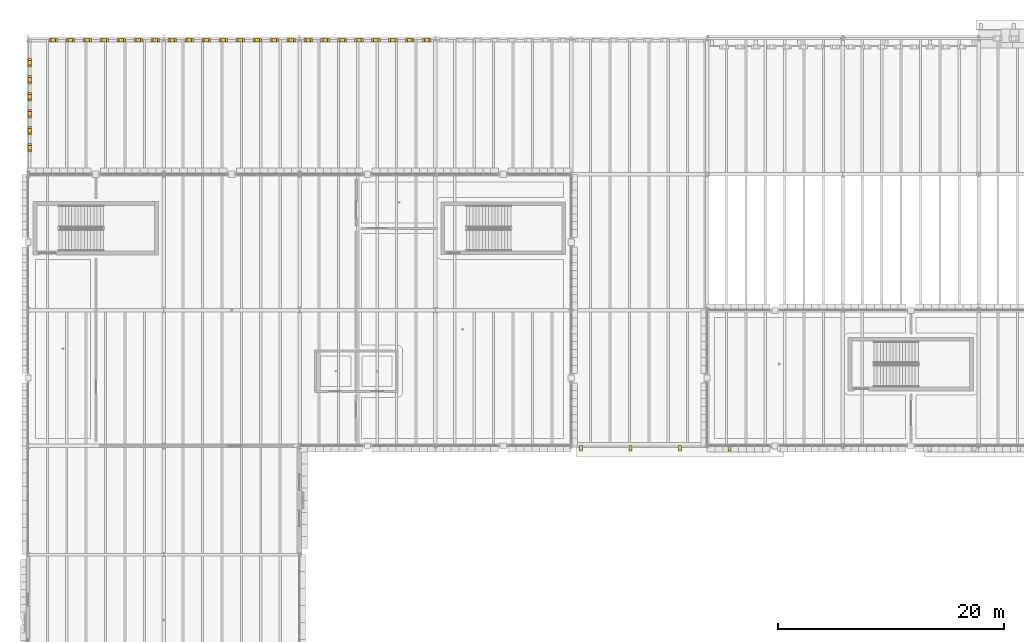
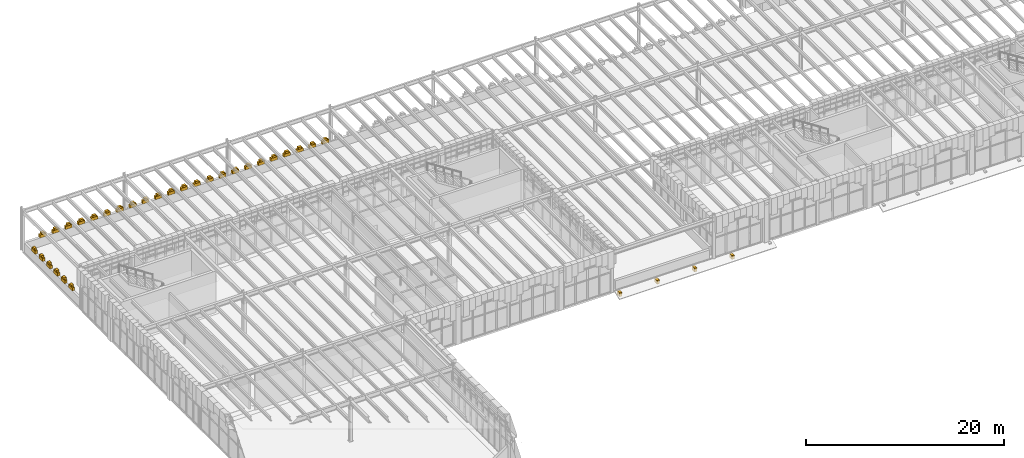
# One storey, part 97 of 100: 62 coverings.
"""IFC4 building model written with IfcOpenShell, lengths in metres."""

from ifc_helpers import new_model, si_unit, direction, frame, origin, place, context, subcontext, project, spatial, polyline, outline, extrude, material, layer, layer_set, type_object, element, save


model = new_model("IFC4")

# Units and contexts
model_context = context("Model", 3, precision=1e-05, world=origin(), true_north=direction((0.0, 1.0)))
body_context = subcontext(model_context, "Body", "Model", "MODEL_VIEW")
ifc_project = project(units=[si_unit("LENGTHUNIT", "METRE"), si_unit("AREAUNIT", "SQUARE_METRE"), si_unit("VOLUMEUNIT", "CUBIC_METRE"), si_unit("PLANEANGLEUNIT", "RADIAN"), si_unit("MASSUNIT", "GRAM", prefix="KILO")], contexts=[model_context])

# Site, building, storey
site_placement = place(None, origin())
site = spatial("IfcSite", under=ifc_project, at=site_placement, CompositionType="ELEMENT")
building_placement = place(site_placement, origin())
building = spatial("IfcBuilding", under=site, at=building_placement, Name="Zlatogorsky Bluff Art Gallery", CompositionType="ELEMENT")
storey_placement = place(building_placement, frame((0.0, 0.0, 5.39990234375)))
storey = spatial("IfcBuildingStorey", under=building, at=storey_placement, Name="L01", CompositionType="ELEMENT", Elevation=5.39990234375)

# Coverings
ifc_material = material(Name="Honed Red Agra-Tone Quartzitic Sandstone", Category="masonry")
ifc_layer = layer(ifc_material, 0.1201171875)
ifc_layer_set = layer_set([ifc_layer], Name="Carved Sandstone Cladding CLD-02")
covering_type = type_object("IfcCoveringType", Name="Carved Sandstone Cladding CLD-02", PredefinedType="CLADDING", material=ifc_layer_set)
covering_1_placement = place(storey_placement, frame((0.0, 0.0, -0.599853515625)))
element("IfcCovering", 1, at=covering_1_placement, inside=storey, type_object=covering_type, Name="Chhajja carved stone corbel CHJ-COURT-W-L01.1", PredefinedType="CLADDING", context=body_context, shape_type="SweptSolid", body=[
    extrude(outline(polyline([(48.7099609375, 83.5400390625), (48.989990234375, 83.5400390625), (48.989990234375, 84.0400390625), (48.7099609375, 84.0400390625), (48.7099609375, 83.5400390625)])), origin(), (0.0, 0.0, 1.0), 0.47998046875),
])
covering_2_placement = place(storey_placement, frame((0.0, 0.0, -0.599853515625)))
element("IfcCovering", 2, at=covering_2_placement, inside=storey, type_object=covering_type, Name="Chhajja carved stone corbel CHJ-COURT-W-L01.2", PredefinedType="CLADDING", context=body_context, shape_type="SweptSolid", body=[
    extrude(outline(polyline([(53.0849609375, 83.5400390625), (53.364990234375, 83.5400390625), (53.364990234375, 84.0400390625), (53.0849609375, 84.0400390625), (53.0849609375, 83.5400390625)])), origin(), (0.0, 0.0, 1.0), 0.47998046875),
])
covering_3_placement = place(storey_placement, frame((0.0, 0.0, -0.599853515625)))
element("IfcCovering", 3, at=covering_3_placement, inside=storey, type_object=covering_type, Name="Chhajja carved stone corbel CHJ-COURT-W-L01.3", PredefinedType="CLADDING", context=body_context, shape_type="SweptSolid", body=[
    extrude(outline(polyline([(57.4599609375, 83.5400390625), (57.739990234375, 83.5400390625), (57.739990234375, 84.0400390625), (57.4599609375, 84.0400390625), (57.4599609375, 83.5400390625)])), origin(), (0.0, 0.0, 1.0), 0.47998046875),
])
covering_4_placement = place(storey_placement, frame((0.0, 0.0, -0.599853515625)))
element("IfcCovering", 4, at=covering_4_placement, inside=storey, type_object=covering_type, Name="Chhajja carved stone corbel CHJ-COURT-W-L01.4", PredefinedType="CLADDING", context=body_context, shape_type="SweptSolid", body=[
    extrude(outline(polyline([(61.8349609375, 83.5400390625), (62.114990234375, 83.5400390625), (62.114990234375, 84.0400390625), (61.8349609375, 84.0400390625), (61.8349609375, 83.5400390625)])), origin(), (0.0, 0.0, 1.0), 0.47998046875),
])
covering_5_placement = place(storey_placement, frame((0.0, 0.0, 1.1201171875)))
element("IfcCovering", 5, at=covering_5_placement, inside=storey, type_object=covering_type, Name="Kangura stepped merlon base PAR-RF-L01-01-3.1", PredefinedType="CLADDING", context=body_context, shape_type="SweptSolid", body=[
    extrude(outline(polyline([(0.02001953125, 109.969970703125), (0.02001953125, 110.72998046875), (0.300048828125, 110.72998046875), (0.300048828125, 109.969970703125), (0.02001953125, 109.969970703125)])), origin(), (0.0, 0.0, 1.0), 0.3896484375),
])
covering_6_placement = place(storey_placement, frame((0.0, 0.0, 1.4921875)))
element("IfcCovering", 6, at=covering_6_placement, inside=storey, type_object=covering_type, Name="Kangura pointed merlon finial PAR-RF-L01-01-3.1", PredefinedType="CLADDING", context=body_context, shape_type="SweptSolid", body=[
    extrude(outline(polyline([(0.02001953125, 110.15234375), (0.02001953125, 110.547607421875), (0.300048828125, 110.547607421875), (0.300048828125, 110.15234375), (0.02001953125, 110.15234375)])), origin(), (0.0, 0.0, 1.0), 0.23779296875),
])
covering_7_placement = place(storey_placement, frame((0.0, 0.0, 1.1201171875)))
element("IfcCovering", 7, at=covering_7_placement, inside=storey, type_object=covering_type, Name="Kangura stepped merlon base PAR-RF-L01-01-3.2", PredefinedType="CLADDING", context=body_context, shape_type="SweptSolid", body=[
    extrude(outline(polyline([(0.02001953125, 111.469970703125), (0.02001953125, 112.22998046875), (0.300048828125, 112.22998046875), (0.300048828125, 111.469970703125), (0.02001953125, 111.469970703125)])), origin(), (0.0, 0.0, 1.0), 0.3896484375),
])
covering_8_placement = place(storey_placement, frame((0.0, 0.0, 1.4921875)))
element("IfcCovering", 8, at=covering_8_placement, inside=storey, type_object=covering_type, Name="Kangura pointed merlon finial PAR-RF-L01-01-3.2", PredefinedType="CLADDING", context=body_context, shape_type="SweptSolid", body=[
    extrude(outline(polyline([(0.02001953125, 111.65234375), (0.02001953125, 112.047607421875), (0.300048828125, 112.047607421875), (0.300048828125, 111.65234375), (0.02001953125, 111.65234375)])), origin(), (0.0, 0.0, 1.0), 0.23779296875),
])
covering_9_placement = place(storey_placement, frame((0.0, 0.0, 1.1201171875)))
element("IfcCovering", 9, at=covering_9_placement, inside=storey, type_object=covering_type, Name="Kangura stepped merlon base PAR-RF-L01-01-3.3", PredefinedType="CLADDING", context=body_context, shape_type="SweptSolid", body=[
    extrude(outline(polyline([(0.02001953125, 112.969970703125), (0.02001953125, 113.72998046875), (0.300048828125, 113.72998046875), (0.300048828125, 112.969970703125), (0.02001953125, 112.969970703125)])), origin(), (0.0, 0.0, 1.0), 0.3896484375),
])
covering_10_placement = place(storey_placement, frame((0.0, 0.0, 1.4921875)))
element("IfcCovering", 10, at=covering_10_placement, inside=storey, type_object=covering_type, Name="Kangura pointed merlon finial PAR-RF-L01-01-3.3", PredefinedType="CLADDING", context=body_context, shape_type="SweptSolid", body=[
    extrude(outline(polyline([(0.02001953125, 113.15234375), (0.02001953125, 113.547607421875), (0.300048828125, 113.547607421875), (0.300048828125, 113.15234375), (0.02001953125, 113.15234375)])), origin(), (0.0, 0.0, 1.0), 0.23779296875),
])
covering_11_placement = place(storey_placement, frame((0.0, 0.0, 1.1201171875)))
element("IfcCovering", 11, at=covering_11_placement, inside=storey, type_object=covering_type, Name="Kangura stepped merlon base PAR-RF-L01-01-3.4", PredefinedType="CLADDING", context=body_context, shape_type="SweptSolid", body=[
    extrude(outline(polyline([(0.02001953125, 114.469970703125), (0.02001953125, 115.22998046875), (0.300048828125, 115.22998046875), (0.300048828125, 114.469970703125), (0.02001953125, 114.469970703125)])), origin(), (0.0, 0.0, 1.0), 0.3896484375),
])
covering_12_placement = place(storey_placement, frame((0.0, 0.0, 1.4921875)))
element("IfcCovering", 12, at=covering_12_placement, inside=storey, type_object=covering_type, Name="Kangura pointed merlon finial PAR-RF-L01-01-3.4", PredefinedType="CLADDING", context=body_context, shape_type="SweptSolid", body=[
    extrude(outline(polyline([(0.02001953125, 114.65234375), (0.02001953125, 115.047607421875), (0.300048828125, 115.047607421875), (0.300048828125, 114.65234375), (0.02001953125, 114.65234375)])), origin(), (0.0, 0.0, 1.0), 0.23779296875),
])
covering_13_placement = place(storey_placement, frame((0.0, 0.0, 1.1201171875)))
element("IfcCovering", 13, at=covering_13_placement, inside=storey, type_object=covering_type, Name="Kangura stepped merlon base PAR-RF-L01-01-3.5", PredefinedType="CLADDING", context=body_context, shape_type="SweptSolid", body=[
    extrude(outline(polyline([(0.02001953125, 115.969970703125), (0.02001953125, 116.72998046875), (0.300048828125, 116.72998046875), (0.300048828125, 115.969970703125), (0.02001953125, 115.969970703125)])), origin(), (0.0, 0.0, 1.0), 0.3896484375),
])
covering_14_placement = place(storey_placement, frame((0.0, 0.0, 1.4921875)))
element("IfcCovering", 14, at=covering_14_placement, inside=storey, type_object=covering_type, Name="Kangura pointed merlon finial PAR-RF-L01-01-3.5", PredefinedType="CLADDING", context=body_context, shape_type="SweptSolid", body=[
    extrude(outline(polyline([(0.02001953125, 116.15234375), (0.02001953125, 116.547607421875), (0.300048828125, 116.547607421875), (0.300048828125, 116.15234375), (0.02001953125, 116.15234375)])), origin(), (0.0, 0.0, 1.0), 0.23779296875),
])
covering_15_placement = place(storey_placement, frame((0.0, 0.0, 1.1201171875)))
element("IfcCovering", 15, at=covering_15_placement, inside=storey, type_object=covering_type, Name="Kangura stepped merlon base PAR-RF-L01-01-3.6", PredefinedType="CLADDING", context=body_context, shape_type="SweptSolid", body=[
    extrude(outline(polyline([(0.02001953125, 117.469970703125), (0.02001953125, 118.22998046875), (0.300048828125, 118.22998046875), (0.300048828125, 117.469970703125), (0.02001953125, 117.469970703125)])), origin(), (0.0, 0.0, 1.0), 0.3896484375),
])
covering_16_placement = place(storey_placement, frame((0.0, 0.0, 1.4921875)))
element("IfcCovering", 16, at=covering_16_placement, inside=storey, type_object=covering_type, Name="Kangura pointed merlon finial PAR-RF-L01-01-3.6", PredefinedType="CLADDING", context=body_context, shape_type="SweptSolid", body=[
    extrude(outline(polyline([(0.02001953125, 117.65234375), (0.02001953125, 118.047607421875), (0.300048828125, 118.047607421875), (0.300048828125, 117.65234375), (0.02001953125, 117.65234375)])), origin(), (0.0, 0.0, 1.0), 0.23779296875),
])
covering_17_placement = place(storey_placement, frame((0.0, 0.0, 1.1201171875)))
element("IfcCovering", 17, at=covering_17_placement, inside=storey, type_object=covering_type, Name="Kangura stepped merlon base PAR-RF-L01-01-4.1", PredefinedType="CLADDING", context=body_context, shape_type="SweptSolid", body=[
    extrude(outline(polyline([(1.8701171875, 119.699951171875), (2.6298828125, 119.699951171875), (2.6298828125, 119.97998046875), (1.8701171875, 119.97998046875), (1.8701171875, 119.699951171875)])), origin(), (0.0, 0.0, 1.0), 0.3896484375),
])
covering_18_placement = place(storey_placement, frame((0.0, 0.0, 1.4921875)))
element("IfcCovering", 18, at=covering_18_placement, inside=storey, type_object=covering_type, Name="Kangura pointed merlon finial PAR-RF-L01-01-4.1", PredefinedType="CLADDING", context=body_context, shape_type="SweptSolid", body=[
    extrude(outline(polyline([(2.052490234375, 119.699951171875), (2.447509765625, 119.699951171875), (2.447509765625, 119.97998046875), (2.052490234375, 119.97998046875), (2.052490234375, 119.699951171875)])), origin(), (0.0, 0.0, 1.0), 0.23779296875),
])
covering_19_placement = place(storey_placement, frame((0.0, 0.0, 1.1201171875)))
element("IfcCovering", 19, at=covering_19_placement, inside=storey, type_object=covering_type, Name="Kangura stepped merlon base PAR-RF-L01-01-4.2", PredefinedType="CLADDING", context=body_context, shape_type="SweptSolid", body=[
    extrude(outline(polyline([(3.3701171875, 119.699951171875), (4.1298828125, 119.699951171875), (4.1298828125, 119.97998046875), (3.3701171875, 119.97998046875), (3.3701171875, 119.699951171875)])), origin(), (0.0, 0.0, 1.0), 0.3896484375),
])
covering_20_placement = place(storey_placement, frame((0.0, 0.0, 1.4921875)))
element("IfcCovering", 20, at=covering_20_placement, inside=storey, type_object=covering_type, Name="Kangura pointed merlon finial PAR-RF-L01-01-4.2", PredefinedType="CLADDING", context=body_context, shape_type="SweptSolid", body=[
    extrude(outline(polyline([(3.552490234375, 119.699951171875), (3.947509765625, 119.699951171875), (3.947509765625, 119.97998046875), (3.552490234375, 119.97998046875), (3.552490234375, 119.699951171875)])), origin(), (0.0, 0.0, 1.0), 0.23779296875),
])
covering_21_placement = place(storey_placement, frame((0.0, 0.0, 1.1201171875)))
element("IfcCovering", 21, at=covering_21_placement, inside=storey, type_object=covering_type, Name="Kangura stepped merlon base PAR-RF-L01-01-4.3", PredefinedType="CLADDING", context=body_context, shape_type="SweptSolid", body=[
    extrude(outline(polyline([(4.8701171875, 119.699951171875), (5.6298828125, 119.699951171875), (5.6298828125, 119.97998046875), (4.8701171875, 119.97998046875), (4.8701171875, 119.699951171875)])), origin(), (0.0, 0.0, 1.0), 0.3896484375),
])
covering_22_placement = place(storey_placement, frame((0.0, 0.0, 1.4921875)))
element("IfcCovering", 22, at=covering_22_placement, inside=storey, type_object=covering_type, Name="Kangura pointed merlon finial PAR-RF-L01-01-4.3", PredefinedType="CLADDING", context=body_context, shape_type="SweptSolid", body=[
    extrude(outline(polyline([(5.052490234375, 119.699951171875), (5.447509765625, 119.699951171875), (5.447509765625, 119.97998046875), (5.052490234375, 119.97998046875), (5.052490234375, 119.699951171875)])), origin(), (0.0, 0.0, 1.0), 0.23779296875),
])
covering_23_placement = place(storey_placement, frame((0.0, 0.0, 1.1201171875)))
element("IfcCovering", 23, at=covering_23_placement, inside=storey, type_object=covering_type, Name="Kangura stepped merlon base PAR-RF-L01-01-4.4", PredefinedType="CLADDING", context=body_context, shape_type="SweptSolid", body=[
    extrude(outline(polyline([(6.3701171875, 119.699951171875), (7.1298828125, 119.699951171875), (7.1298828125, 119.97998046875), (6.3701171875, 119.97998046875), (6.3701171875, 119.699951171875)])), origin(), (0.0, 0.0, 1.0), 0.3896484375),
])
covering_24_placement = place(storey_placement, frame((0.0, 0.0, 1.4921875)))
element("IfcCovering", 24, at=covering_24_placement, inside=storey, type_object=covering_type, Name="Kangura pointed merlon finial PAR-RF-L01-01-4.4", PredefinedType="CLADDING", context=body_context, shape_type="SweptSolid", body=[
    extrude(outline(polyline([(6.552490234375, 119.699951171875), (6.947509765625, 119.699951171875), (6.947509765625, 119.97998046875), (6.552490234375, 119.97998046875), (6.552490234375, 119.699951171875)])), origin(), (0.0, 0.0, 1.0), 0.23779296875),
])
covering_25_placement = place(storey_placement, frame((0.0, 0.0, 1.1201171875)))
element("IfcCovering", 25, at=covering_25_placement, inside=storey, type_object=covering_type, Name="Kangura stepped merlon base PAR-RF-L01-01-4.5", PredefinedType="CLADDING", context=body_context, shape_type="SweptSolid", body=[
    extrude(outline(polyline([(7.8701171875, 119.699951171875), (8.6298828125, 119.699951171875), (8.6298828125, 119.97998046875), (7.8701171875, 119.97998046875), (7.8701171875, 119.699951171875)])), origin(), (0.0, 0.0, 1.0), 0.3896484375),
])
covering_26_placement = place(storey_placement, frame((0.0, 0.0, 1.4921875)))
element("IfcCovering", 26, at=covering_26_placement, inside=storey, type_object=covering_type, Name="Kangura pointed merlon finial PAR-RF-L01-01-4.5", PredefinedType="CLADDING", context=body_context, shape_type="SweptSolid", body=[
    extrude(outline(polyline([(8.052490234375, 119.699951171875), (8.447509765625, 119.699951171875), (8.447509765625, 119.97998046875), (8.052490234375, 119.97998046875), (8.052490234375, 119.699951171875)])), origin(), (0.0, 0.0, 1.0), 0.23779296875),
])
covering_27_placement = place(storey_placement, frame((0.0, 0.0, 1.1201171875)))
element("IfcCovering", 27, at=covering_27_placement, inside=storey, type_object=covering_type, Name="Kangura stepped merlon base PAR-RF-L01-01-4.6", PredefinedType="CLADDING", context=body_context, shape_type="SweptSolid", body=[
    extrude(outline(polyline([(9.3701171875, 119.699951171875), (10.1298828125, 119.699951171875), (10.1298828125, 119.97998046875), (9.3701171875, 119.97998046875), (9.3701171875, 119.699951171875)])), origin(), (0.0, 0.0, 1.0), 0.3896484375),
])
covering_28_placement = place(storey_placement, frame((0.0, 0.0, 1.4921875)))
element("IfcCovering", 28, at=covering_28_placement, inside=storey, type_object=covering_type, Name="Kangura pointed merlon finial PAR-RF-L01-01-4.6", PredefinedType="CLADDING", context=body_context, shape_type="SweptSolid", body=[
    extrude(outline(polyline([(9.552490234375, 119.699951171875), (9.947509765625, 119.699951171875), (9.947509765625, 119.97998046875), (9.552490234375, 119.97998046875), (9.552490234375, 119.699951171875)])), origin(), (0.0, 0.0, 1.0), 0.23779296875),
])
covering_29_placement = place(storey_placement, frame((0.0, 0.0, 1.1201171875)))
element("IfcCovering", 29, at=covering_29_placement, inside=storey, type_object=covering_type, Name="Kangura stepped merlon base PAR-RF-L01-01-4.7", PredefinedType="CLADDING", context=body_context, shape_type="SweptSolid", body=[
    extrude(outline(polyline([(10.8701171875, 119.699951171875), (11.6298828125, 119.699951171875), (11.6298828125, 119.97998046875), (10.8701171875, 119.97998046875), (10.8701171875, 119.699951171875)])), origin(), (0.0, 0.0, 1.0), 0.3896484375),
])
covering_30_placement = place(storey_placement, frame((0.0, 0.0, 1.4921875)))
element("IfcCovering", 30, at=covering_30_placement, inside=storey, type_object=covering_type, Name="Kangura pointed merlon finial PAR-RF-L01-01-4.7", PredefinedType="CLADDING", context=body_context, shape_type="SweptSolid", body=[
    extrude(outline(polyline([(11.052490234375, 119.699951171875), (11.447509765625, 119.699951171875), (11.447509765625, 119.97998046875), (11.052490234375, 119.97998046875), (11.052490234375, 119.699951171875)])), origin(), (0.0, 0.0, 1.0), 0.23779296875),
])
covering_31_placement = place(storey_placement, frame((0.0, 0.0, 1.1201171875)))
element("IfcCovering", 31, at=covering_31_placement, inside=storey, type_object=covering_type, Name="Kangura stepped merlon base PAR-RF-L01-01-4.8", PredefinedType="CLADDING", context=body_context, shape_type="SweptSolid", body=[
    extrude(outline(polyline([(12.3701171875, 119.699951171875), (13.1298828125, 119.699951171875), (13.1298828125, 119.97998046875), (12.3701171875, 119.97998046875), (12.3701171875, 119.699951171875)])), origin(), (0.0, 0.0, 1.0), 0.3896484375),
])
covering_32_placement = place(storey_placement, frame((0.0, 0.0, 1.4921875)))
element("IfcCovering", 32, at=covering_32_placement, inside=storey, type_object=covering_type, Name="Kangura pointed merlon finial PAR-RF-L01-01-4.8", PredefinedType="CLADDING", context=body_context, shape_type="SweptSolid", body=[
    extrude(outline(polyline([(12.552490234375, 119.699951171875), (12.947509765625, 119.699951171875), (12.947509765625, 119.97998046875), (12.552490234375, 119.97998046875), (12.552490234375, 119.699951171875)])), origin(), (0.0, 0.0, 1.0), 0.23779296875),
])
covering_33_placement = place(storey_placement, frame((0.0, 0.0, 1.1201171875)))
element("IfcCovering", 33, at=covering_33_placement, inside=storey, type_object=covering_type, Name="Kangura stepped merlon base PAR-RF-L01-01-4.9", PredefinedType="CLADDING", context=body_context, shape_type="SweptSolid", body=[
    extrude(outline(polyline([(13.8701171875, 119.699951171875), (14.6298828125, 119.699951171875), (14.6298828125, 119.97998046875), (13.8701171875, 119.97998046875), (13.8701171875, 119.699951171875)])), origin(), (0.0, 0.0, 1.0), 0.3896484375),
])
covering_34_placement = place(storey_placement, frame((0.0, 0.0, 1.4921875)))
element("IfcCovering", 34, at=covering_34_placement, inside=storey, type_object=covering_type, Name="Kangura pointed merlon finial PAR-RF-L01-01-4.9", PredefinedType="CLADDING", context=body_context, shape_type="SweptSolid", body=[
    extrude(outline(polyline([(14.052490234375, 119.699951171875), (14.447509765625, 119.699951171875), (14.447509765625, 119.97998046875), (14.052490234375, 119.97998046875), (14.052490234375, 119.699951171875)])), origin(), (0.0, 0.0, 1.0), 0.23779296875),
])
covering_35_placement = place(storey_placement, frame((0.0, 0.0, 1.1201171875)))
element("IfcCovering", 35, at=covering_35_placement, inside=storey, type_object=covering_type, Name="Kangura stepped merlon base PAR-RF-L01-01-4.10", PredefinedType="CLADDING", context=body_context, shape_type="SweptSolid", body=[
    extrude(outline(polyline([(15.3701171875, 119.699951171875), (16.1298828125, 119.699951171875), (16.1298828125, 119.97998046875), (15.3701171875, 119.97998046875), (15.3701171875, 119.699951171875)])), origin(), (0.0, 0.0, 1.0), 0.3896484375),
])
covering_36_placement = place(storey_placement, frame((0.0, 0.0, 1.4921875)))
element("IfcCovering", 36, at=covering_36_placement, inside=storey, type_object=covering_type, Name="Kangura pointed merlon finial PAR-RF-L01-01-4.10", PredefinedType="CLADDING", context=body_context, shape_type="SweptSolid", body=[
    extrude(outline(polyline([(15.552490234375, 119.699951171875), (15.947509765625, 119.699951171875), (15.947509765625, 119.97998046875), (15.552490234375, 119.97998046875), (15.552490234375, 119.699951171875)])), origin(), (0.0, 0.0, 1.0), 0.23779296875),
])
covering_37_placement = place(storey_placement, frame((0.0, 0.0, 1.1201171875)))
element("IfcCovering", 37, at=covering_37_placement, inside=storey, type_object=covering_type, Name="Kangura stepped merlon base PAR-RF-L01-01-4.11", PredefinedType="CLADDING", context=body_context, shape_type="SweptSolid", body=[
    extrude(outline(polyline([(16.8701171875, 119.699951171875), (17.6298828125, 119.699951171875), (17.6298828125, 119.97998046875), (16.8701171875, 119.97998046875), (16.8701171875, 119.699951171875)])), origin(), (0.0, 0.0, 1.0), 0.3896484375),
])
covering_38_placement = place(storey_placement, frame((0.0, 0.0, 1.4921875)))
element("IfcCovering", 38, at=covering_38_placement, inside=storey, type_object=covering_type, Name="Kangura pointed merlon finial PAR-RF-L01-01-4.11", PredefinedType="CLADDING", context=body_context, shape_type="SweptSolid", body=[
    extrude(outline(polyline([(17.052490234375, 119.699951171875), (17.447509765625, 119.699951171875), (17.447509765625, 119.97998046875), (17.052490234375, 119.97998046875), (17.052490234375, 119.699951171875)])), origin(), (0.0, 0.0, 1.0), 0.23779296875),
])
covering_39_placement = place(storey_placement, frame((0.0, 0.0, 1.1201171875)))
element("IfcCovering", 39, at=covering_39_placement, inside=storey, type_object=covering_type, Name="Kangura stepped merlon base PAR-RF-L01-01-4.12", PredefinedType="CLADDING", context=body_context, shape_type="SweptSolid", body=[
    extrude(outline(polyline([(18.3701171875, 119.699951171875), (19.1298828125, 119.699951171875), (19.1298828125, 119.97998046875), (18.3701171875, 119.97998046875), (18.3701171875, 119.699951171875)])), origin(), (0.0, 0.0, 1.0), 0.3896484375),
])
covering_40_placement = place(storey_placement, frame((0.0, 0.0, 1.4921875)))
element("IfcCovering", 40, at=covering_40_placement, inside=storey, type_object=covering_type, Name="Kangura pointed merlon finial PAR-RF-L01-01-4.12", PredefinedType="CLADDING", context=body_context, shape_type="SweptSolid", body=[
    extrude(outline(polyline([(18.552490234375, 119.699951171875), (18.947509765625, 119.699951171875), (18.947509765625, 119.97998046875), (18.552490234375, 119.97998046875), (18.552490234375, 119.699951171875)])), origin(), (0.0, 0.0, 1.0), 0.23779296875),
])
covering_41_placement = place(storey_placement, frame((0.0, 0.0, 1.1201171875)))
element("IfcCovering", 41, at=covering_41_placement, inside=storey, type_object=covering_type, Name="Kangura stepped merlon base PAR-RF-L01-01-4.13", PredefinedType="CLADDING", context=body_context, shape_type="SweptSolid", body=[
    extrude(outline(polyline([(19.8701171875, 119.699951171875), (20.6298828125, 119.699951171875), (20.6298828125, 119.97998046875), (19.8701171875, 119.97998046875), (19.8701171875, 119.699951171875)])), origin(), (0.0, 0.0, 1.0), 0.3896484375),
])
covering_42_placement = place(storey_placement, frame((0.0, 0.0, 1.4921875)))
element("IfcCovering", 42, at=covering_42_placement, inside=storey, type_object=covering_type, Name="Kangura pointed merlon finial PAR-RF-L01-01-4.13", PredefinedType="CLADDING", context=body_context, shape_type="SweptSolid", body=[
    extrude(outline(polyline([(20.052490234375, 119.699951171875), (20.447509765625, 119.699951171875), (20.447509765625, 119.97998046875), (20.052490234375, 119.97998046875), (20.052490234375, 119.699951171875)])), origin(), (0.0, 0.0, 1.0), 0.23779296875),
])
covering_43_placement = place(storey_placement, frame((0.0, 0.0, 1.1201171875)))
element("IfcCovering", 43, at=covering_43_placement, inside=storey, type_object=covering_type, Name="Kangura stepped merlon base PAR-RF-L01-01-4.14", PredefinedType="CLADDING", context=body_context, shape_type="SweptSolid", body=[
    extrude(outline(polyline([(21.3701171875, 119.699951171875), (22.1298828125, 119.699951171875), (22.1298828125, 119.97998046875), (21.3701171875, 119.97998046875), (21.3701171875, 119.699951171875)])), origin(), (0.0, 0.0, 1.0), 0.3896484375),
])
covering_44_placement = place(storey_placement, frame((0.0, 0.0, 1.4921875)))
element("IfcCovering", 44, at=covering_44_placement, inside=storey, type_object=covering_type, Name="Kangura pointed merlon finial PAR-RF-L01-01-4.14", PredefinedType="CLADDING", context=body_context, shape_type="SweptSolid", body=[
    extrude(outline(polyline([(21.552490234375, 119.699951171875), (21.947509765625, 119.699951171875), (21.947509765625, 119.97998046875), (21.552490234375, 119.97998046875), (21.552490234375, 119.699951171875)])), origin(), (0.0, 0.0, 1.0), 0.23779296875),
])
covering_45_placement = place(storey_placement, frame((0.0, 0.0, 1.1201171875)))
element("IfcCovering", 45, at=covering_45_placement, inside=storey, type_object=covering_type, Name="Kangura stepped merlon base PAR-RF-L01-01-4.15", PredefinedType="CLADDING", context=body_context, shape_type="SweptSolid", body=[
    extrude(outline(polyline([(22.8701171875, 119.699951171875), (23.6298828125, 119.699951171875), (23.6298828125, 119.97998046875), (22.8701171875, 119.97998046875), (22.8701171875, 119.699951171875)])), origin(), (0.0, 0.0, 1.0), 0.3896484375),
])
covering_46_placement = place(storey_placement, frame((0.0, 0.0, 1.4921875)))
element("IfcCovering", 46, at=covering_46_placement, inside=storey, type_object=covering_type, Name="Kangura pointed merlon finial PAR-RF-L01-01-4.15", PredefinedType="CLADDING", context=body_context, shape_type="SweptSolid", body=[
    extrude(outline(polyline([(23.052490234375, 119.699951171875), (23.447509765625, 119.699951171875), (23.447509765625, 119.97998046875), (23.052490234375, 119.97998046875), (23.052490234375, 119.699951171875)])), origin(), (0.0, 0.0, 1.0), 0.23779296875),
])
covering_47_placement = place(storey_placement, frame((0.0, 0.0, 1.1201171875)))
element("IfcCovering", 47, at=covering_47_placement, inside=storey, type_object=covering_type, Name="Kangura stepped merlon base PAR-RF-L01-01-4.16", PredefinedType="CLADDING", context=body_context, shape_type="SweptSolid", body=[
    extrude(outline(polyline([(24.3701171875, 119.699951171875), (25.1298828125, 119.699951171875), (25.1298828125, 119.97998046875), (24.3701171875, 119.97998046875), (24.3701171875, 119.699951171875)])), origin(), (0.0, 0.0, 1.0), 0.3896484375),
])
covering_48_placement = place(storey_placement, frame((0.0, 0.0, 1.4921875)))
element("IfcCovering", 48, at=covering_48_placement, inside=storey, type_object=covering_type, Name="Kangura pointed merlon finial PAR-RF-L01-01-4.16", PredefinedType="CLADDING", context=body_context, shape_type="SweptSolid", body=[
    extrude(outline(polyline([(24.552490234375, 119.699951171875), (24.947509765625, 119.699951171875), (24.947509765625, 119.97998046875), (24.552490234375, 119.97998046875), (24.552490234375, 119.699951171875)])), origin(), (0.0, 0.0, 1.0), 0.23779296875),
])
covering_49_placement = place(storey_placement, frame((0.0, 0.0, 1.1201171875)))
element("IfcCovering", 49, at=covering_49_placement, inside=storey, type_object=covering_type, Name="Kangura stepped merlon base PAR-RF-L01-01-4.17", PredefinedType="CLADDING", context=body_context, shape_type="SweptSolid", body=[
    extrude(outline(polyline([(25.8701171875, 119.699951171875), (26.6298828125, 119.699951171875), (26.6298828125, 119.97998046875), (25.8701171875, 119.97998046875), (25.8701171875, 119.699951171875)])), origin(), (0.0, 0.0, 1.0), 0.3896484375),
])
covering_50_placement = place(storey_placement, frame((0.0, 0.0, 1.4921875)))
element("IfcCovering", 50, at=covering_50_placement, inside=storey, type_object=covering_type, Name="Kangura pointed merlon finial PAR-RF-L01-01-4.17", PredefinedType="CLADDING", context=body_context, shape_type="SweptSolid", body=[
    extrude(outline(polyline([(26.052490234375, 119.699951171875), (26.447509765625, 119.699951171875), (26.447509765625, 119.97998046875), (26.052490234375, 119.97998046875), (26.052490234375, 119.699951171875)])), origin(), (0.0, 0.0, 1.0), 0.23779296875),
])
covering_51_placement = place(storey_placement, frame((0.0, 0.0, 1.1201171875)))
element("IfcCovering", 51, at=covering_51_placement, inside=storey, type_object=covering_type, Name="Kangura stepped merlon base PAR-RF-L01-01-4.18", PredefinedType="CLADDING", context=body_context, shape_type="SweptSolid", body=[
    extrude(outline(polyline([(27.3701171875, 119.699951171875), (28.1298828125, 119.699951171875), (28.1298828125, 119.97998046875), (27.3701171875, 119.97998046875), (27.3701171875, 119.699951171875)])), origin(), (0.0, 0.0, 1.0), 0.3896484375),
])
covering_52_placement = place(storey_placement, frame((0.0, 0.0, 1.4921875)))
element("IfcCovering", 52, at=covering_52_placement, inside=storey, type_object=covering_type, Name="Kangura pointed merlon finial PAR-RF-L01-01-4.18", PredefinedType="CLADDING", context=body_context, shape_type="SweptSolid", body=[
    extrude(outline(polyline([(27.552490234375, 119.699951171875), (27.947509765625, 119.699951171875), (27.947509765625, 119.97998046875), (27.552490234375, 119.97998046875), (27.552490234375, 119.699951171875)])), origin(), (0.0, 0.0, 1.0), 0.23779296875),
])
covering_53_placement = place(storey_placement, frame((0.0, 0.0, 1.1201171875)))
element("IfcCovering", 53, at=covering_53_placement, inside=storey, type_object=covering_type, Name="Kangura stepped merlon base PAR-RF-L01-01-4.19", PredefinedType="CLADDING", context=body_context, shape_type="SweptSolid", body=[
    extrude(outline(polyline([(28.8701171875, 119.699951171875), (29.6298828125, 119.699951171875), (29.6298828125, 119.97998046875), (28.8701171875, 119.97998046875), (28.8701171875, 119.699951171875)])), origin(), (0.0, 0.0, 1.0), 0.3896484375),
])
covering_54_placement = place(storey_placement, frame((0.0, 0.0, 1.4921875)))
element("IfcCovering", 54, at=covering_54_placement, inside=storey, type_object=covering_type, Name="Kangura pointed merlon finial PAR-RF-L01-01-4.19", PredefinedType="CLADDING", context=body_context, shape_type="SweptSolid", body=[
    extrude(outline(polyline([(29.052490234375, 119.699951171875), (29.447509765625, 119.699951171875), (29.447509765625, 119.97998046875), (29.052490234375, 119.97998046875), (29.052490234375, 119.699951171875)])), origin(), (0.0, 0.0, 1.0), 0.23779296875),
])
covering_55_placement = place(storey_placement, frame((0.0, 0.0, 1.1201171875)))
element("IfcCovering", 55, at=covering_55_placement, inside=storey, type_object=covering_type, Name="Kangura stepped merlon base PAR-RF-L01-01-4.20", PredefinedType="CLADDING", context=body_context, shape_type="SweptSolid", body=[
    extrude(outline(polyline([(30.3701171875, 119.699951171875), (31.1298828125, 119.699951171875), (31.1298828125, 119.97998046875), (30.3701171875, 119.97998046875), (30.3701171875, 119.699951171875)])), origin(), (0.0, 0.0, 1.0), 0.3896484375),
])
covering_56_placement = place(storey_placement, frame((0.0, 0.0, 1.4921875)))
element("IfcCovering", 56, at=covering_56_placement, inside=storey, type_object=covering_type, Name="Kangura pointed merlon finial PAR-RF-L01-01-4.20", PredefinedType="CLADDING", context=body_context, shape_type="SweptSolid", body=[
    extrude(outline(polyline([(30.552490234375, 119.699951171875), (30.947509765625, 119.699951171875), (30.947509765625, 119.97998046875), (30.552490234375, 119.97998046875), (30.552490234375, 119.699951171875)])), origin(), (0.0, 0.0, 1.0), 0.23779296875),
])
covering_57_placement = place(storey_placement, frame((0.0, 0.0, 1.1201171875)))
element("IfcCovering", 57, at=covering_57_placement, inside=storey, type_object=covering_type, Name="Kangura stepped merlon base PAR-RF-L01-01-4.21", PredefinedType="CLADDING", context=body_context, shape_type="SweptSolid", body=[
    extrude(outline(polyline([(31.8701171875, 119.699951171875), (32.6298828125, 119.699951171875), (32.6298828125, 119.97998046875), (31.8701171875, 119.97998046875), (31.8701171875, 119.699951171875)])), origin(), (0.0, 0.0, 1.0), 0.3896484375),
])
covering_58_placement = place(storey_placement, frame((0.0, 0.0, 1.4921875)))
element("IfcCovering", 58, at=covering_58_placement, inside=storey, type_object=covering_type, Name="Kangura pointed merlon finial PAR-RF-L01-01-4.21", PredefinedType="CLADDING", context=body_context, shape_type="SweptSolid", body=[
    extrude(outline(polyline([(32.052490234375, 119.699951171875), (32.447509765625, 119.699951171875), (32.447509765625, 119.97998046875), (32.052490234375, 119.97998046875), (32.052490234375, 119.699951171875)])), origin(), (0.0, 0.0, 1.0), 0.23779296875),
])
covering_59_placement = place(storey_placement, frame((0.0, 0.0, 1.1201171875)))
element("IfcCovering", 59, at=covering_59_placement, inside=storey, type_object=covering_type, Name="Kangura stepped merlon base PAR-RF-L01-01-4.22", PredefinedType="CLADDING", context=body_context, shape_type="SweptSolid", body=[
    extrude(outline(polyline([(33.3701171875, 119.699951171875), (34.1298828125, 119.699951171875), (34.1298828125, 119.97998046875), (33.3701171875, 119.97998046875), (33.3701171875, 119.699951171875)])), origin(), (0.0, 0.0, 1.0), 0.3896484375),
])
covering_60_placement = place(storey_placement, frame((0.0, 0.0, 1.4921875)))
element("IfcCovering", 60, at=covering_60_placement, inside=storey, type_object=covering_type, Name="Kangura pointed merlon finial PAR-RF-L01-01-4.22", PredefinedType="CLADDING", context=body_context, shape_type="SweptSolid", body=[
    extrude(outline(polyline([(33.552490234375, 119.699951171875), (33.947509765625, 119.699951171875), (33.947509765625, 119.97998046875), (33.552490234375, 119.97998046875), (33.552490234375, 119.699951171875)])), origin(), (0.0, 0.0, 1.0), 0.23779296875),
])
covering_61_placement = place(storey_placement, frame((0.0, 0.0, 1.1201171875)))
element("IfcCovering", 61, at=covering_61_placement, inside=storey, type_object=covering_type, Name="Kangura stepped merlon base PAR-RF-L01-01-4.23", PredefinedType="CLADDING", context=body_context, shape_type="SweptSolid", body=[
    extrude(outline(polyline([(34.8701171875, 119.699951171875), (35.6298828125, 119.699951171875), (35.6298828125, 119.97998046875), (34.8701171875, 119.97998046875), (34.8701171875, 119.699951171875)])), origin(), (0.0, 0.0, 1.0), 0.3896484375),
])
covering_62_placement = place(storey_placement, frame((0.0, 0.0, 1.4921875)))
element("IfcCovering", 62, at=covering_62_placement, inside=storey, type_object=covering_type, Name="Kangura pointed merlon finial PAR-RF-L01-01-4.23", PredefinedType="CLADDING", context=body_context, shape_type="SweptSolid", body=[
    extrude(outline(polyline([(35.052490234375, 119.699951171875), (35.447509765625, 119.699951171875), (35.447509765625, 119.97998046875), (35.052490234375, 119.97998046875), (35.052490234375, 119.699951171875)])), origin(), (0.0, 0.0, 1.0), 0.23779296875),
])

save(model, "model.ifc")
